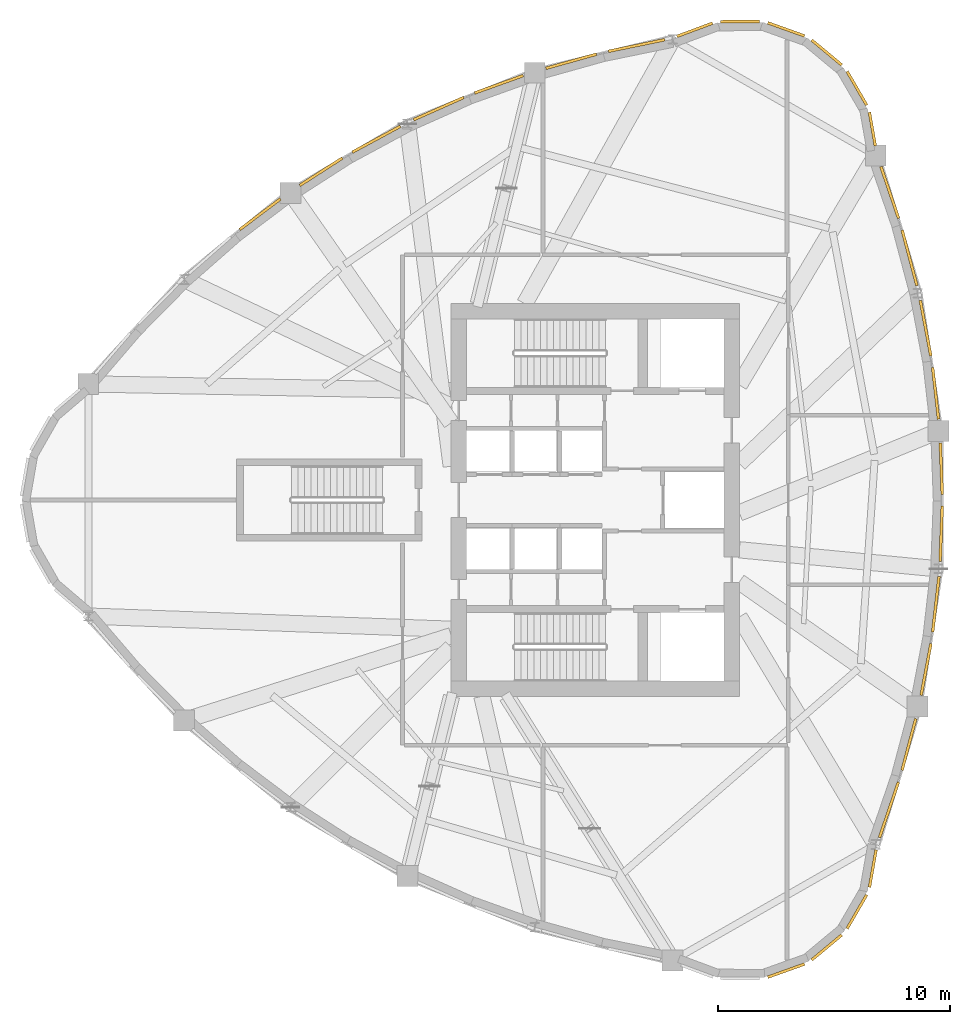
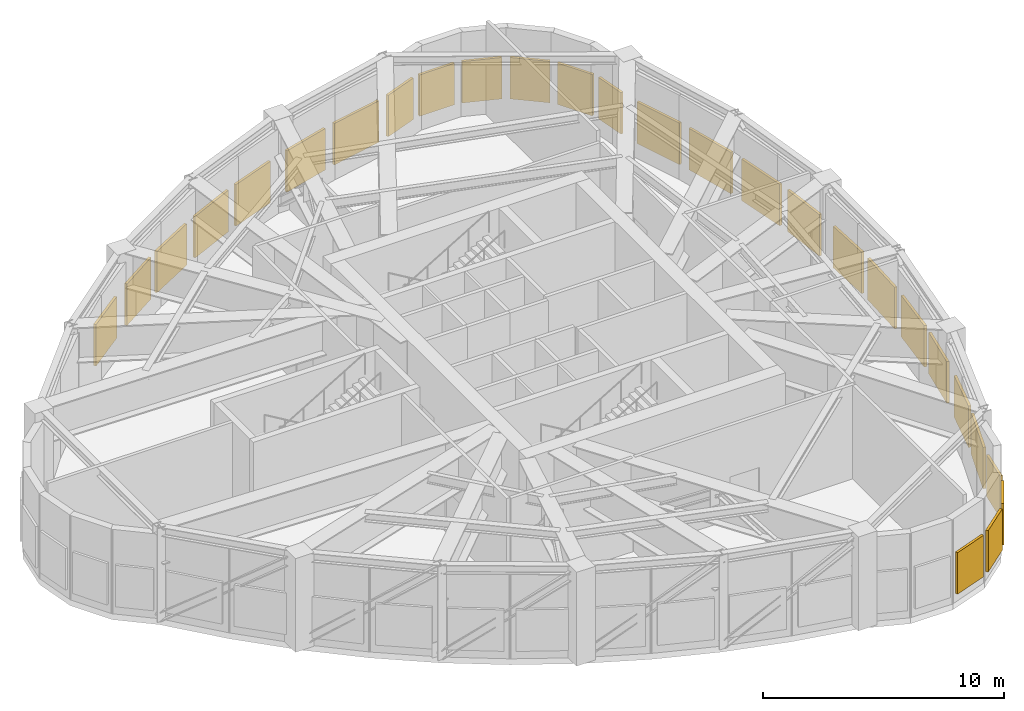
# One storey, part 9 of 9: 27 shading devices.
"""IFC4 building model written with IfcOpenShell, lengths in metres."""

from ifc_helpers import new_model, si_unit, direction, frame, origin, origin_2d, place, context, subcontext, project, spatial, rectangle, extrude, source, transform, mapped, material, layer, layer_set, type_object, element, save


model = new_model("IFC4")

# Units and contexts
model_context = context("Model", 3, precision=1e-05, world=origin(), true_north=direction((0.0, 1.0)))
body_context = subcontext(model_context, "Body", "Model", "MODEL_VIEW")
ifc_project = project(units=[si_unit("LENGTHUNIT", "METRE"), si_unit("AREAUNIT", "SQUARE_METRE"), si_unit("VOLUMEUNIT", "CUBIC_METRE"), si_unit("PLANEANGLEUNIT", "RADIAN"), si_unit("MASSUNIT", "GRAM", prefix="KILO")], contexts=[model_context])

# Site, building, storey
site_placement = place(None, origin())
site = spatial("IfcSite", under=ifc_project, at=site_placement, CompositionType="ELEMENT")
building_placement = place(site_placement, origin())
building = spatial("IfcBuilding", under=site, at=building_placement, Name="Qafzar Sky-Pleat Residences", CompositionType="ELEMENT")
storey_placement = place(building_placement, frame((0.0, 0.0, 128.0)))
storey = spatial("IfcBuildingStorey", under=building, at=storey_placement, Name="L38", CompositionType="ELEMENT", Elevation=128.0)

# Shading devices
ifc_material = material(Name="Anodised bronze aluminium acoustic louvre", Category="aluminium")
ifc_layer = layer(ifc_material, 0.1201171875)
ifc_layer_set = layer_set([ifc_layer], Name="Anodised bronze aluminium acoustic louvre")
shading_device_type = type_object("IfcShadingDeviceType", Name="SHD-LOUVRE-PLANT", PredefinedType="JALOUSIE", material=ifc_layer_set)
shared_shape_1 = source(origin(), body_context, "Body", "SweptSolid", [
    extrude(rectangle(XDim=2.482666015625, YDim=0.1201171875, at=origin_2d()), origin(), (0.0, 0.0, 1.0), 2.10009765625),
])
shading_device_1_placement = place(storey_placement, frame((32.126220703125, 45.560546875, 0.449951171875), z_axis=(0.0, 0.0, 1.0), x_axis=(-0.979417527917, -0.201844757201, 0.0)))
element("IfcShadingDevice", 1, at=shading_device_1_placement, inside=storey, type_object=shading_device_type, Name="L38 Plant Acoustic Louvre 39", PredefinedType="JALOUSIE", context=body_context, shape_type="MappedRepresentation", body=[
    mapped(shared_shape_1, transform((0.0, 0.0, 0.0), x_axis=(1.0, 0.0, 0.0), y_axis=(0.0, 1.0, 0.0), z_axis=(0.0, 0.0, 1.0), scale=1.0)),
])
shared_shape_2 = source(origin(), body_context, "Body", "SweptSolid", [
    extrude(rectangle(XDim=2.26318359375, YDim=0.1201171875, at=origin_2d()), origin(), (0.0, 0.0, 1.0), 2.10009765625),
])
shading_device_2_placement = place(storey_placement, frame((29.314453125, 44.88330078125, 0.449951171875), z_axis=(0.0, 0.0, 1.0), x_axis=(-0.963031172713, -0.269389978251, 0.0)))
element("IfcShadingDevice", 2, at=shading_device_2_placement, inside=storey, type_object=shading_device_type, Name="L38 Plant Acoustic Louvre 40", PredefinedType="JALOUSIE", context=body_context, shape_type="MappedRepresentation", body=[
    mapped(shared_shape_2, transform((0.0, 0.0, 0.0), x_axis=(1.0, 0.0, 0.0), y_axis=(0.0, 1.0, 0.0), z_axis=(0.0, 0.0, 1.0), scale=1.0)),
])
shared_shape_3 = source(origin(), body_context, "Body", "SweptSolid", [
    extrude(rectangle(XDim=2.2236328125, YDim=0.1201171875, at=origin_2d()), origin(), (0.0, 0.0, 1.0), 2.10009765625),
])
shading_device_3_placement = place(storey_placement, frame((26.202392578125, 43.891357421875, 0.449951171875), z_axis=(0.0, 0.0, 1.0), x_axis=(-0.941092248563, -0.338149936707, 0.0)))
element("IfcShadingDevice", 3, at=shading_device_3_placement, inside=storey, type_object=shading_device_type, Name="L38 Plant Acoustic Louvre 41", PredefinedType="JALOUSIE", context=body_context, shape_type="MappedRepresentation", body=[
    mapped(shared_shape_3, transform((0.0, 0.0, 0.0), x_axis=(1.0, 0.0, 0.0), y_axis=(0.0, 1.0, 0.0), z_axis=(0.0, 0.0, 1.0), scale=1.0)),
])
shared_shape_4 = source(origin(), body_context, "Body", "SweptSolid", [
    extrude(rectangle(XDim=2.364990234375, YDim=0.1201171875, at=origin_2d()), origin(), (0.0, 0.0, 1.0), 2.10009765625),
])
shading_device_4_placement = place(storey_placement, frame((23.611083984375, 42.846435546875, 0.449951171875), z_axis=(0.0, 0.0, 1.0), x_axis=(-0.913395382061, -0.407073551131, 0.0)))
element("IfcShadingDevice", 4, at=shading_device_4_placement, inside=storey, type_object=shading_device_type, Name="L38 Plant Acoustic Louvre 42", PredefinedType="JALOUSIE", context=body_context, shape_type="MappedRepresentation", body=[
    mapped(shared_shape_4, transform((0.0, 0.0, 0.0), x_axis=(1.0, 0.0, 0.0), y_axis=(0.0, 1.0, 0.0), z_axis=(0.0, 0.0, 1.0), scale=1.0)),
])
shared_shape_5 = source(origin(), body_context, "Body", "SweptSolid", [
    extrude(rectangle(XDim=2.3515625, YDim=0.1201171875, at=origin_2d()), origin(), (0.0, 0.0, 1.0), 2.10009765625),
])
shading_device_5_placement = place(storey_placement, frame((20.927978515625, 41.52734375, 0.449951171875), z_axis=(0.0, 0.0, 1.0), x_axis=(-0.880073172957, -0.474838088448, 0.0)))
element("IfcShadingDevice", 5, at=shading_device_5_placement, inside=storey, type_object=shading_device_type, Name="L38 Plant Acoustic Louvre 43", PredefinedType="JALOUSIE", context=body_context, shape_type="MappedRepresentation", body=[
    mapped(shared_shape_5, transform((0.0, 0.0, 0.0), x_axis=(1.0, 0.0, 0.0), y_axis=(0.0, 1.0, 0.0), z_axis=(0.0, 0.0, 1.0), scale=1.0)),
])
shared_shape_6 = source(origin(), body_context, "Body", "SweptSolid", [
    extrude(rectangle(XDim=2.18359375, YDim=0.1201171875, at=origin_2d()), origin(), (0.0, 0.0, 1.0), 2.10009765625),
])
shading_device_6_placement = place(storey_placement, frame((18.5478515625, 40.128662109375, 0.449951171875), z_axis=(0.0, 0.0, 1.0), x_axis=(-0.841497355743, -0.540261233365, 0.0)))
element("IfcShadingDevice", 6, at=shading_device_6_placement, inside=storey, type_object=shading_device_type, Name="L38 Plant Acoustic Louvre 44", PredefinedType="JALOUSIE", context=body_context, shape_type="MappedRepresentation", body=[
    mapped(shared_shape_6, transform((0.0, 0.0, 0.0), x_axis=(1.0, 0.0, 0.0), y_axis=(0.0, 1.0, 0.0), z_axis=(0.0, 0.0, 1.0), scale=1.0)),
])
shared_shape_7 = source(origin(), body_context, "Body", "SweptSolid", [
    extrude(rectangle(XDim=2.197021484375, YDim=0.1201171875, at=origin_2d()), origin(), (0.0, 0.0, 1.0), 2.10009765625),
])
shading_device_7_placement = place(storey_placement, frame((15.922607421875, 38.29931640625, 0.449951171875), z_axis=(0.0, 0.0, 1.0), x_axis=(-0.798345370758, -0.602199858011, 0.0)))
element("IfcShadingDevice", 7, at=shading_device_7_placement, inside=storey, type_object=shading_device_type, Name="L38 Plant Acoustic Louvre 45", PredefinedType="JALOUSIE", context=body_context, shape_type="MappedRepresentation", body=[
    mapped(shared_shape_7, transform((0.0, 0.0, 0.0), x_axis=(1.0, 0.0, 0.0), y_axis=(0.0, 1.0, 0.0), z_axis=(0.0, 0.0, 1.0), scale=1.0)),
])
shared_shape_8 = source(origin(), body_context, "Body", "SweptSolid", [
    extrude(rectangle(XDim=1.46484375, YDim=0.1201171875, at=origin_2d()), origin(), (0.0, 0.0, 1.0), 2.10009765625),
])
shading_device_8_placement = place(storey_placement, frame((42.27685546875, 41.965087890625, 0.449951171875), z_axis=(0.0, 0.0, 1.0), x_axis=(-0.174370990489, 0.984680028068, 0.0)))
element("IfcShadingDevice", 8, at=shading_device_8_placement, inside=storey, type_object=shading_device_type, Name="L38 Plant Acoustic Louvre 33", PredefinedType="JALOUSIE", context=body_context, shape_type="MappedRepresentation", body=[
    mapped(shared_shape_8, transform((0.0, 0.0, 0.0), x_axis=(1.0, 0.0, 0.0), y_axis=(0.0, 1.0, 0.0), z_axis=(0.0, 0.0, 1.0), scale=1.0)),
])
shared_shape_9 = source(origin(), body_context, "Body", "SweptSolid", [
    extrude(rectangle(XDim=1.67919921875, YDim=0.1201171875, at=origin_2d()), origin(), (0.0, 0.0, 1.0), 2.10009765625),
])
for number, where, z_axis, x_axis, name in (
    (9, (38.565673828125, 5.74365234375, 0.449951171875), (0.0, 0.0, 1.0), (0.941518591784, 0.336961038289, 0.0), "L38 Plant Acoustic Louvre 19"),
    (10, (40.31201171875, 6.7412109375, 0.449951171875), (0.0, 0.0, 1.0), (0.768467228353, 0.639889145828, 0.0), "L38 Plant Acoustic Louvre 20"),
    (11, (41.609619140625, 8.27783203125, 0.449951171875), (0.0, 0.0, 1.0), (0.50197689344, 0.864881031387, 0.0), "L38 Plant Acoustic Louvre 21"),
    (12, (41.609619140625, 43.72216796875, 0.449951171875), (0.0, 0.0, 1.0), (-0.50197689344, 0.864881031387, 0.0), "L38 Plant Acoustic Louvre 34"),
    (13, (40.31201171875, 45.2587890625, 0.449951171875), (0.0, 0.0, 1.0), (-0.768467228353, 0.639889145828, 0.0), "L38 Plant Acoustic Louvre 35"),
    (14, (38.565673828125, 46.25634765625, 0.449951171875), (0.0, 0.0, 1.0), (-0.941518591784, 0.336961038289, 0.0), "L38 Plant Acoustic Louvre 36"),
    (15, (36.5830078125, 46.593505859375, 0.449951171875), (0.0, 0.0, 1.0), (-0.99997646822, -0.006860248279, 0.0), "L38 Plant Acoustic Louvre 37"),
):
    element("IfcShadingDevice", number, at=place(storey_placement, frame(where, z_axis=z_axis, x_axis=x_axis)), inside=storey, type_object=shading_device_type, Name=name, PredefinedType="JALOUSIE", context=body_context, shape_type="MappedRepresentation", body=[
        mapped(shared_shape_9, transform((0.0, 0.0, 0.0), x_axis=(1.0, 0.0, 0.0), y_axis=(0.0, 1.0, 0.0), z_axis=(0.0, 0.0, 1.0), scale=1.0)),
    ])
shared_shape_10 = source(origin(), body_context, "Body", "SweptSolid", [
    extrude(rectangle(XDim=1.6328125, YDim=0.1201171875, at=origin_2d()), origin(), (0.0, 0.0, 1.0), 2.10009765625),
])
for number, where, z_axis, x_axis, name in (
    (16, (42.295166015625, 10.13818359375, 0.449951171875), (0.0, 0.0, 1.0), (0.174361037484, 0.984681790533, 0.0), "L38 Plant Acoustic Louvre 22"),
    (17, (34.632080078125, 46.239501953125, 0.449951171875), (0.0, 0.0, 1.0), (-0.936779425186, -0.349920431738, 0.0), "L38 Plant Acoustic Louvre 38"),
):
    element("IfcShadingDevice", number, at=place(storey_placement, frame(where, z_axis=z_axis, x_axis=x_axis)), inside=storey, type_object=shading_device_type, Name=name, PredefinedType="JALOUSIE", context=body_context, shape_type="MappedRepresentation", body=[
        mapped(shared_shape_10, transform((0.0, 0.0, 0.0), x_axis=(1.0, 0.0, 0.0), y_axis=(0.0, 1.0, 0.0), z_axis=(0.0, 0.0, 1.0), scale=1.0)),
    ])
shared_shape_11 = source(origin(), body_context, "Body", "SweptSolid", [
    extrude(rectangle(XDim=2.521728515625, YDim=0.1201171875, at=origin_2d()), origin(), (0.0, 0.0, 1.0), 2.10009765625),
])
shading_device_9_placement = place(storey_placement, frame((42.990966796875, 12.664794921875, 0.449951171875), z_axis=(0.0, 0.0, 1.0), x_axis=(0.323584539804, 0.946199263158, 0.0)))
element("IfcShadingDevice", 18, at=shading_device_9_placement, inside=storey, type_object=shading_device_type, Name="L38 Plant Acoustic Louvre 23", PredefinedType="JALOUSIE", context=body_context, shape_type="MappedRepresentation", body=[
    mapped(shared_shape_11, transform((0.0, 0.0, 0.0), x_axis=(1.0, 0.0, 0.0), y_axis=(0.0, 1.0, 0.0), z_axis=(0.0, 0.0, 1.0), scale=1.0)),
])
shared_shape_12 = source(origin(), body_context, "Body", "SweptSolid", [
    extrude(rectangle(XDim=2.30126953125, YDim=0.1201171875, at=origin_2d()), origin(), (0.0, 0.0, 1.0), 2.10009765625),
])
shading_device_10_placement = place(storey_placement, frame((43.849853515625, 15.47705078125, 0.449951171875), z_axis=(0.0, 0.0, 1.0), x_axis=(0.257076239155, 0.966391125405, 0.0)))
element("IfcShadingDevice", 19, at=shading_device_10_placement, inside=storey, type_object=shading_device_type, Name="L38 Plant Acoustic Louvre 24", PredefinedType="JALOUSIE", context=body_context, shape_type="MappedRepresentation", body=[
    mapped(shared_shape_12, transform((0.0, 0.0, 0.0), x_axis=(1.0, 0.0, 0.0), y_axis=(0.0, 1.0, 0.0), z_axis=(0.0, 0.0, 1.0), scale=1.0)),
])
shared_shape_13 = source(origin(), body_context, "Body", "SweptSolid", [
    extrude(rectangle(XDim=2.26123046875, YDim=0.1201171875, at=origin_2d()), origin(), (0.0, 0.0, 1.0), 2.10009765625),
])
shading_device_11_placement = place(storey_placement, frame((44.586181640625, 18.70751953125, 0.449951171875), z_axis=(0.0, 0.0, 1.0), x_axis=(0.186691035314, 0.982418677211, 0.0)))
element("IfcShadingDevice", 20, at=shading_device_11_placement, inside=storey, type_object=shading_device_type, Name="L38 Plant Acoustic Louvre 25", PredefinedType="JALOUSIE", context=body_context, shape_type="MappedRepresentation", body=[
    mapped(shared_shape_13, transform((0.0, 0.0, 0.0), x_axis=(1.0, 0.0, 0.0), y_axis=(0.0, 1.0, 0.0), z_axis=(0.0, 0.0, 1.0), scale=1.0)),
])
shared_shape_14 = source(origin(), body_context, "Body", "SweptSolid", [
    extrude(rectangle(XDim=2.402099609375, YDim=0.1201171875, at=origin_2d()), origin(), (0.0, 0.0, 1.0), 2.10009765625),
])
shading_device_12_placement = place(storey_placement, frame((45.009521484375, 21.5166015625, 0.449951171875), z_axis=(0.0, 0.0, 1.0), x_axis=(0.113260124784, 0.993565369834, 0.0)))
element("IfcShadingDevice", 21, at=shading_device_12_placement, inside=storey, type_object=shading_device_type, Name="L38 Plant Acoustic Louvre 26", PredefinedType="JALOUSIE", context=body_context, shape_type="MappedRepresentation", body=[
    mapped(shared_shape_14, transform((0.0, 0.0, 0.0), x_axis=(1.0, 0.0, 0.0), y_axis=(0.0, 1.0, 0.0), z_axis=(0.0, 0.0, 1.0), scale=1.0)),
])
shared_shape_15 = source(origin(), body_context, "Body", "SweptSolid", [
    extrude(rectangle(XDim=2.388427734375, YDim=0.1201171875, at=origin_2d()), origin(), (0.0, 0.0, 1.0), 2.10009765625),
])
shading_device_13_placement = place(storey_placement, frame((45.239501953125, 24.544189453125, 0.449951171875), z_axis=(0.0, 0.0, 1.0), x_axis=(0.037948178641, 0.999279708459, 0.0)))
element("IfcShadingDevice", 22, at=shading_device_13_placement, inside=storey, type_object=shading_device_type, Name="L38 Plant Acoustic Louvre 27", PredefinedType="JALOUSIE", context=body_context, shape_type="MappedRepresentation", body=[
    mapped(shared_shape_15, transform((0.0, 0.0, 0.0), x_axis=(1.0, 0.0, 0.0), y_axis=(0.0, 1.0, 0.0), z_axis=(0.0, 0.0, 1.0), scale=1.0)),
])
shared_shape_16 = source(origin(), body_context, "Body", "SweptSolid", [
    extrude(rectangle(XDim=2.220458984375, YDim=0.1201171875, at=origin_2d()), origin(), (0.0, 0.0, 1.0), 2.10009765625),
])
shading_device_14_placement = place(storey_placement, frame((45.243408203125, 27.350830078125, 0.449951171875), z_axis=(0.0, 0.0, 1.0), x_axis=(-0.037973744912, 0.999278737239, 0.0)))
element("IfcShadingDevice", 23, at=shading_device_14_placement, inside=storey, type_object=shading_device_type, Name="L38 Plant Acoustic Louvre 28", PredefinedType="JALOUSIE", context=body_context, shape_type="MappedRepresentation", body=[
    mapped(shared_shape_16, transform((0.0, 0.0, 0.0), x_axis=(1.0, 0.0, 0.0), y_axis=(0.0, 1.0, 0.0), z_axis=(0.0, 0.0, 1.0), scale=1.0)),
])
shared_shape_17 = source(origin(), body_context, "Body", "SweptSolid", [
    extrude(rectangle(XDim=2.234130859375, YDim=0.1201171875, at=origin_2d()), origin(), (0.0, 0.0, 1.0), 2.10009765625),
])
shading_device_15_placement = place(storey_placement, frame((44.99755859375, 30.587646484375, 0.449951171875), z_axis=(0.0, 0.0, 1.0), x_axis=(-0.113256756487, 0.993565753793, 0.0)))
element("IfcShadingDevice", 24, at=shading_device_15_placement, inside=storey, type_object=shading_device_type, Name="L38 Plant Acoustic Louvre 29", PredefinedType="JALOUSIE", context=body_context, shape_type="MappedRepresentation", body=[
    mapped(shared_shape_17, transform((0.0, 0.0, 0.0), x_axis=(1.0, 0.0, 0.0), y_axis=(0.0, 1.0, 0.0), z_axis=(0.0, 0.0, 1.0), scale=1.0)),
])
shared_shape_18 = source(origin(), body_context, "Body", "SweptSolid", [
    extrude(rectangle(XDim=2.42919921875, YDim=0.1201171875, at=origin_2d()), origin(), (0.0, 0.0, 1.0), 2.10009765625),
])
shading_device_16_placement = place(storey_placement, frame((44.566650390625, 33.3955078125, 0.449951171875), z_axis=(0.0, 0.0, 1.0), x_axis=(-0.186689887291, 0.982418895372, 0.0)))
element("IfcShadingDevice", 25, at=shading_device_16_placement, inside=storey, type_object=shading_device_type, Name="L38 Plant Acoustic Louvre 30", PredefinedType="JALOUSIE", context=body_context, shape_type="MappedRepresentation", body=[
    mapped(shared_shape_18, transform((0.0, 0.0, 0.0), x_axis=(1.0, 0.0, 0.0), y_axis=(0.0, 1.0, 0.0), z_axis=(0.0, 0.0, 1.0), scale=1.0)),
])
shared_shape_19 = source(origin(), body_context, "Body", "SweptSolid", [
    extrude(rectangle(XDim=2.46923828125, YDim=0.1201171875, at=origin_2d()), origin(), (0.0, 0.0, 1.0), 2.10009765625),
])
shading_device_17_placement = place(storey_placement, frame((43.876708984375, 36.42138671875, 0.449951171875), z_axis=(0.0, 0.0, 1.0), x_axis=(-0.257075814688, 0.966391238321, 0.0)))
element("IfcShadingDevice", 26, at=shading_device_17_placement, inside=storey, type_object=shading_device_type, Name="L38 Plant Acoustic Louvre 31", PredefinedType="JALOUSIE", context=body_context, shape_type="MappedRepresentation", body=[
    mapped(shared_shape_19, transform((0.0, 0.0, 0.0), x_axis=(1.0, 0.0, 0.0), y_axis=(0.0, 1.0, 0.0), z_axis=(0.0, 0.0, 1.0), scale=1.0)),
])
shared_shape_20 = source(origin(), body_context, "Body", "SweptSolid", [
    extrude(rectangle(XDim=2.353759765625, YDim=0.1201171875, at=origin_2d()), origin(), (0.0, 0.0, 1.0), 2.10009765625),
])
shading_device_18_placement = place(storey_placement, frame((43.02490234375, 39.23583984375, 0.449951171875), z_axis=(0.0, 0.0, 1.0), x_axis=(-0.323569970774, 0.9462042454, 0.0)))
element("IfcShadingDevice", 27, at=shading_device_18_placement, inside=storey, type_object=shading_device_type, Name="L38 Plant Acoustic Louvre 32", PredefinedType="JALOUSIE", context=body_context, shape_type="MappedRepresentation", body=[
    mapped(shared_shape_20, transform((0.0, 0.0, 0.0), x_axis=(1.0, 0.0, 0.0), y_axis=(0.0, 1.0, 0.0), z_axis=(0.0, 0.0, 1.0), scale=1.0)),
])

save(model, "model.ifc")
